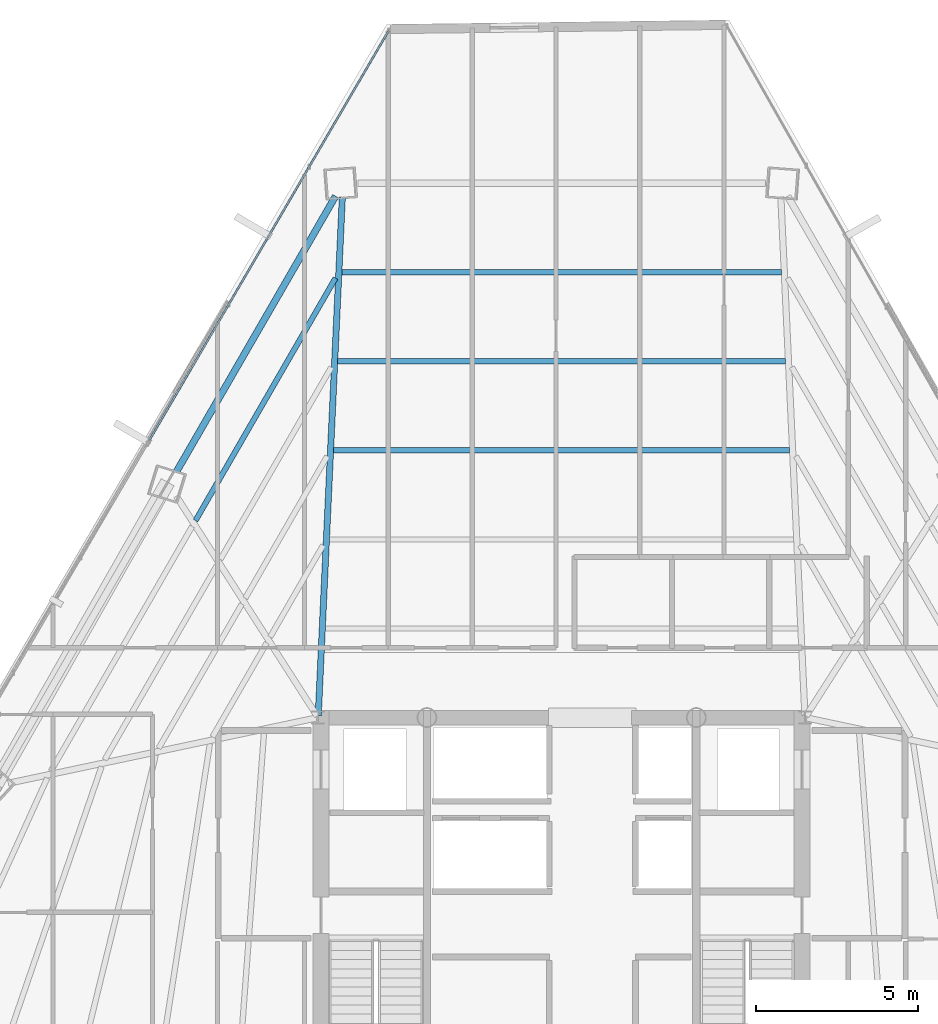
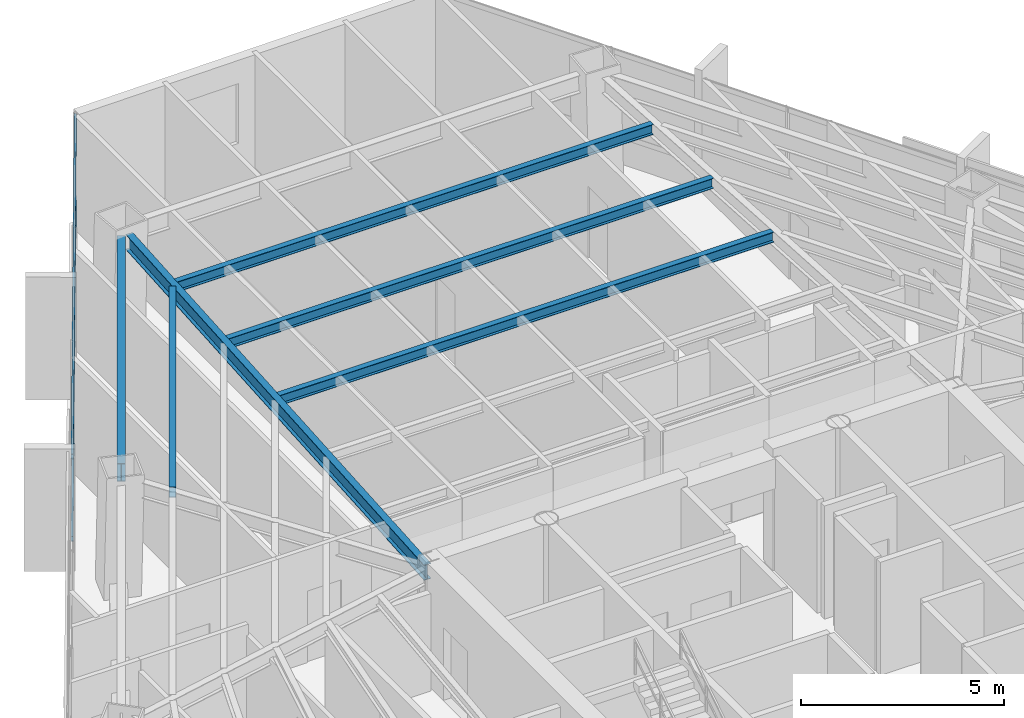
# One storey, part 27 of 42: 6 beams, 2 members, 1 element without a shape of its own.
"""IFC4 building model written with IfcOpenShell, lengths in metres."""

from ifc_helpers import new_model, si_unit, direction, frame, origin, origin_2d, place, context, subcontext, project, spatial, hollow_rectangle, i_section, extrude, source, transform, mapped, material, material_profile, profile_set, type_object, type_shapes, element, aggregate, save


model = new_model("IFC4")

# Units and contexts
model_context = context("Model", 3, precision=1e-05, world=origin(), true_north=direction((0.0, 1.0)))
body_context = subcontext(model_context, "Body", "Model", "MODEL_VIEW")
ifc_project = project(units=[si_unit("LENGTHUNIT", "METRE"), si_unit("AREAUNIT", "SQUARE_METRE"), si_unit("VOLUMEUNIT", "CUBIC_METRE"), si_unit("PLANEANGLEUNIT", "RADIAN"), si_unit("MASSUNIT", "GRAM", prefix="KILO")], contexts=[model_context])

# Site, building, storey
site_placement = place(None, origin())
site = spatial("IfcSite", under=ifc_project, at=site_placement, CompositionType="ELEMENT")
building_placement = place(site_placement, origin())
building = spatial("IfcBuilding", under=site, at=building_placement, Name="Caelisora Broadcast Tower", CompositionType="ELEMENT")
storey_placement = place(building_placement, frame((0.0, 0.0, 131.800048828125)))
storey = spatial("IfcBuildingStorey", under=building, at=storey_placement, Name="L34", CompositionType="ELEMENT", Elevation=131.800048828125)

# Beams
ifc_material_1 = material(Name="Steel Grade 350 (AS/NZS 3679.1)", Category="steel")
ifc_material_profile_1 = material_profile(ifc_material_1, i_section(OverallWidth=0.208984375, OverallDepth=0.532958984375, WebThickness=0.01025390625, FlangeThickness=0.015625, at=origin_2d()), Name="Steel Grade 350 (AS/NZS 3679.1)")
ifc_profile_set_1 = profile_set([ifc_material_profile_1], Name="Steel Grade 350 (AS/NZS 3679.1)")
beam_type_1 = type_object("IfcBeamType", Name="PG05", PredefinedType="BEAM", material=ifc_profile_set_1)
shared_shape_1 = source(origin(), body_context, "Body", "SweptSolid", [
    extrude(i_section(OverallWidth=0.208984375, OverallDepth=0.532958984375, WebThickness=0.01025390625, FlangeThickness=0.015625, at=origin_2d()), origin(), (0.0, 0.0, 1.0), 9.803466796875),
])
type_shapes(beam_type_1, [shared_shape_1])
beam_1_placement = place(storey_placement, frame((31.034912109375, 46.0634765625, 3.133544921875), z_axis=(-0.499993357938, -0.866029238547, 0.0), x_axis=(0.866029238547, -0.499993357938, 0.0)))
element("IfcBeam", 1, at=beam_1_placement, inside=storey, type_object=beam_type_1, Name="L34 beam PG05", PredefinedType="BEAM", context=body_context, shape_type="MappedRepresentation", body=[
    mapped(shared_shape_1, transform((0.0, 0.0, 0.0), scale=1.0)),
])
ifc_material_profile_2 = material_profile(ifc_material_1, i_section(OverallWidth=0.19091796875, OverallDepth=0.46044921875, WebThickness=0.010009765625, FlangeThickness=0.01611328125, at=origin_2d()), Name="Steel Grade 350 (AS/NZS 3679.1)")
ifc_profile_set_2 = profile_set([ifc_material_profile_2], Name="Steel Grade 350 (AS/NZS 3679.1)")
beam_type_2 = type_object("IfcBeamType", Name="PG06", PredefinedType="BEAM", material=ifc_profile_set_2)
shared_shape_2 = source(origin(), body_context, "Body", "SweptSolid", [
    extrude(i_section(OverallWidth=0.19091796875, OverallDepth=0.46044921875, WebThickness=0.010009765625, FlangeThickness=0.01611328125, at=origin_2d()), origin(), (0.0, 0.0, 1.0), 15.999755859375),
])
type_shapes(beam_type_2, [shared_shape_2])
beam_2_placement = place(storey_placement, frame((30.502685546875, 30.059814453125, 3.169677734375), z_axis=(0.046418199488, 0.998922094438, 0.0), x_axis=(-0.998922094438, 0.046418199488, 0.0)))
element("IfcBeam", 2, at=beam_2_placement, inside=storey, type_object=beam_type_2, Name="L34 beam PG06", PredefinedType="BEAM", context=body_context, shape_type="MappedRepresentation", body=[
    mapped(shared_shape_2, transform((0.0, 0.0, 0.0), scale=1.0)),
])
ifc_material_profile_3 = material_profile(ifc_material_1, i_section(OverallWidth=0.166015625, OverallDepth=0.30712890625, WebThickness=0.006591796875, FlangeThickness=0.01171875, at=origin_2d()), Name="Steel Grade 350 (AS/NZS 3679.1)")
ifc_profile_set_3 = profile_set([ifc_material_profile_3], Name="Steel Grade 350 (AS/NZS 3679.1)")
beam_type_3 = type_object("IfcBeamType", Name="SB03", PredefinedType="JOIST", material=ifc_profile_set_3)
shared_shape_3 = source(origin(), body_context, "Body", "SweptSolid", [
    extrude(i_section(OverallWidth=0.166015625, OverallDepth=0.30712890625, WebThickness=0.006591796875, FlangeThickness=0.01171875, at=origin_2d()), origin(), (0.0, 0.0, 1.0), 14.0498046875),
])
beam_3_placement = place(storey_placement, frame((45.02490234375, 38.23095703125, 3.246337890625), z_axis=(-1.0, 0.0, 0.0), x_axis=(0.0, -1.0, 0.0)))
element("IfcBeam", 3, at=beam_3_placement, inside=storey, type_object=beam_type_3, Name="L34 beam SB03", PredefinedType="JOIST", context=body_context, shape_type="MappedRepresentation", body=[
    mapped(shared_shape_3, transform((0.0, 0.0, 0.0), scale=1.0)),
])
shared_shape_4 = source(origin(), body_context, "Body", "SweptSolid", [
    extrude(i_section(OverallWidth=0.166015625, OverallDepth=0.30712890625, WebThickness=0.006591796875, FlangeThickness=0.01171875, at=origin_2d()), origin(), (0.0, 0.0, 1.0), 13.794921875),
])
beam_4_placement = place(storey_placement, frame((44.8974609375, 40.974609375, 3.246337890625), z_axis=(-1.0, 0.0, 0.0), x_axis=(0.0, -1.0, 0.0)))
element("IfcBeam", 4, at=beam_4_placement, inside=storey, type_object=beam_type_3, Name="L34 beam SB03", PredefinedType="JOIST", context=body_context, shape_type="MappedRepresentation", body=[
    mapped(shared_shape_4, transform((0.0, 0.0, 0.0), scale=1.0)),
])
shared_shape_5 = source(origin(), body_context, "Body", "SweptSolid", [
    extrude(i_section(OverallWidth=0.166015625, OverallDepth=0.30712890625, WebThickness=0.006591796875, FlangeThickness=0.01171875, at=origin_2d()), origin(), (0.0, 0.0, 1.0), 13.5400390625),
])
beam_5_placement = place(storey_placement, frame((44.77001953125, 43.71826171875, 3.246337890625), z_axis=(-1.0, 0.0, 0.0), x_axis=(0.0, -1.0, 0.0)))
element("IfcBeam", 5, at=beam_5_placement, inside=storey, type_object=beam_type_3, Name="L34 beam SB03", PredefinedType="JOIST", context=body_context, shape_type="MappedRepresentation", body=[
    mapped(shared_shape_5, transform((0.0, 0.0, 0.0), scale=1.0)),
])
shared_shape_6 = source(origin(), body_context, "Body", "SweptSolid", [
    extrude(i_section(OverallWidth=0.166015625, OverallDepth=0.30712890625, WebThickness=0.006591796875, FlangeThickness=0.01171875, at=origin_2d()), origin(), (0.0, 0.0, 1.0), 8.626708984375),
])
type_shapes(beam_type_3, [shared_shape_3, shared_shape_4, shared_shape_5, shared_shape_6])
beam_6_placement = place(storey_placement, frame((31.034912109375, 43.540771484375, 3.246337890625), z_axis=(-0.499989480838, -0.866031476941, 0.0), x_axis=(0.866031476941, -0.499989480838, 0.0)))
element("IfcBeam", 6, at=beam_6_placement, inside=storey, type_object=beam_type_3, Name="L34 beam SB03", PredefinedType="JOIST", context=body_context, shape_type="MappedRepresentation", body=[
    mapped(shared_shape_6, transform((0.0, 0.0, 0.0), scale=1.0)),
])

# Curtain wall, members
ifc_material_2 = material(Name="Unitised Aluminium and Low-E Glass Curtain Wall", Category="glass")
curtain_wall_type = type_object("IfcCurtainWallType", Name="CW-Z3", PredefinedType="NOTDEFINED", material=ifc_material_2)
curtain_wall_placement = place(storey_placement, origin())
curtain_wall = element("IfcCurtainWall", 7, at=curtain_wall_placement, inside=storey, type_object=curtain_wall_type, Name="L34 curtain wall CW-Z3", PredefinedType="NOTDEFINED")
ifc_material_3 = material(Name="Aluminium 6063-T6 Anodised Terracotta Bronze", Category="aluminium")
ifc_material_profile_4 = material_profile(ifc_material_3, hollow_rectangle(XDim=0.06005859375, YDim=0.14990234375, WallThickness=0.00341796875, at=origin_2d()), Name="Aluminium 6063-T6 Anodised Terracotta Bronze")
ifc_profile_set_4 = profile_set([ifc_material_profile_4], Name="Aluminium 6063-T6 Anodised Terracotta Bronze")
member_type = type_object("IfcMemberType", Name="CWT-02", PredefinedType="USERDEFINED", material=ifc_profile_set_4)
shared_shape_7 = source(origin(), body_context, "Body", "SweptSolid", [
    extrude(hollow_rectangle(XDim=0.06005859375, YDim=0.14990234375, WallThickness=0.00341796875, at=origin_2d()), origin(), (0.0, 0.0, 1.0), 14.633544921875),
])
type_shapes(member_type, [shared_shape_7])
member_1_placement = place(storey_placement, frame((25.29150390625, 38.532470703125, 0.849853515625), z_axis=(0.504549284067, 0.863382893013, 0.0), x_axis=(-0.863382893013, 0.504549284067, 0.0)))
member_1 = element("IfcMember", 8, at=member_1_placement, type_object=member_type, Name="L34-CW-B11 transom #1", ObjectType="TRANSOM", PredefinedType="USERDEFINED", context=body_context, shape_type="MappedRepresentation", body=[
    mapped(shared_shape_7, transform((0.0, 0.0, 0.0), scale=1.0)),
])
member_2_placement = place(storey_placement, frame((25.29150390625, 38.532470703125, 3.320068359375), z_axis=(0.504549284067, 0.863382893013, 0.0), x_axis=(-0.863382893013, 0.504549284067, 0.0)))
member_2 = element("IfcMember", 9, at=member_2_placement, type_object=member_type, Name="L34-CW-B11 transom #2", ObjectType="TRANSOM", PredefinedType="USERDEFINED", context=body_context, shape_type="MappedRepresentation", body=[
    mapped(shared_shape_7, transform((0.0, 0.0, 0.0), scale=1.0)),
])
aggregate(curtain_wall, [member_1, member_2])

save(model, "model.ifc")
